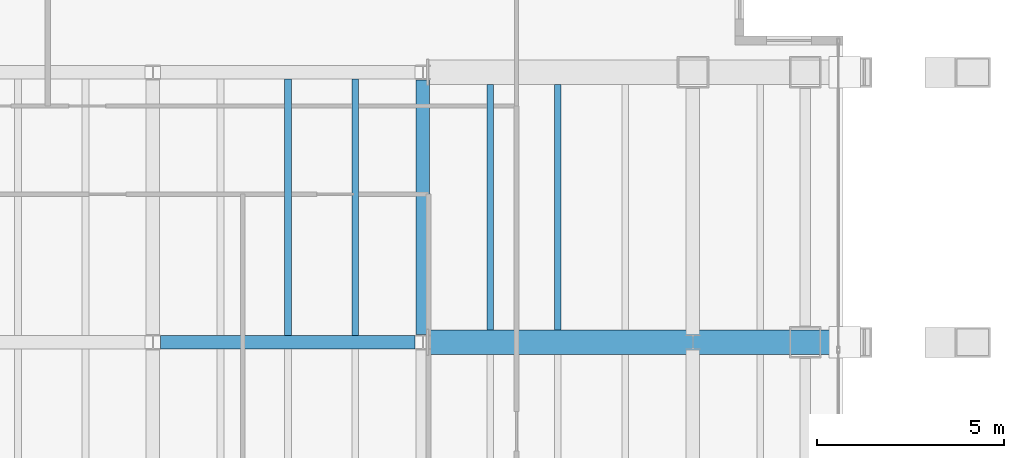
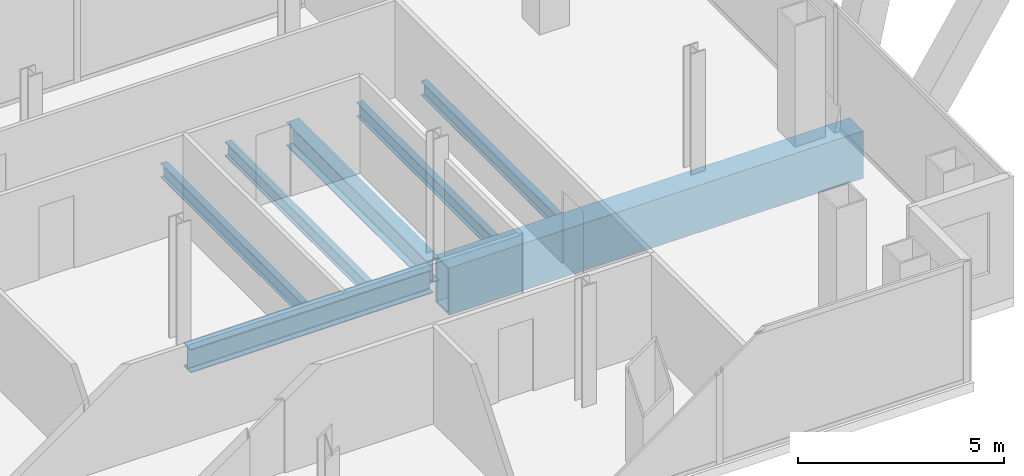
# One storey, part 12 of 23: 7 beams.
"""IFC4 building model written with IfcOpenShell, lengths in metres."""

from ifc_helpers import new_model, si_unit, direction, frame, origin, origin_2d, place, context, subcontext, project, spatial, hollow_rectangle, i_section, extrude, material, material_profile, profile_set, type_object, element, save


model = new_model("IFC4")

# Units and contexts
model_context = context("Model", 3, precision=1e-05, world=origin(), true_north=direction((0.0, 1.0)))
body_context = subcontext(model_context, "Body", "Model", "MODEL_VIEW")
ifc_project = project(units=[si_unit("LENGTHUNIT", "METRE"), si_unit("AREAUNIT", "SQUARE_METRE"), si_unit("VOLUMEUNIT", "CUBIC_METRE"), si_unit("PLANEANGLEUNIT", "RADIAN"), si_unit("MASSUNIT", "GRAM", prefix="KILO")], contexts=[model_context])

# Site, building, storey
site_placement = place(None, origin())
site = spatial("IfcSite", under=ifc_project, at=site_placement, CompositionType="ELEMENT")
building_placement = place(site_placement, origin())
building = spatial("IfcBuilding", under=site, at=building_placement, Name="Cobrela Telecom Tower", CompositionType="ELEMENT")
storey_placement = place(building_placement, frame((0.0, 0.0, 159.949951171875)))
storey = spatial("IfcBuildingStorey", under=building, at=storey_placement, Name="L40", CompositionType="ELEMENT", Elevation=159.949951171875)

# Beams
ifc_material_1 = material(Name="Steel ASTM A992 Grade 50", Category="steel")
ifc_material_profile_1 = material_profile(ifc_material_1, i_section(OverallWidth=0.35595703125, OverallDepth=0.696044921875, WebThickness=0.015380859375, FlangeThickness=0.024658203125, FilletRadius=0.01806640625, at=origin_2d()), Name="W27X146")
ifc_profile_set_1 = profile_set([ifc_material_profile_1], Name="Steel ASTM A992 Grade 50")
beam_type_1 = type_object("IfcBeamType", Name="BM-GIRD-05", PredefinedType="USERDEFINED", material=ifc_profile_set_1)
for number, where, z_axis, x_axis, name in (
    (1, (29.00439453125, 14.39990234375, -0.617919921875), (1.0, 0.0, 0.0), (0.0, 1.0, 0.0), "L40 Primary Girder X15"),
    (2, (36.0, 14.6044921875, -0.617919921875), (0.0, 1.0, 0.0), (-1.0, 0.0, 0.0), "L40 Primary Girder Y47"),
):
    element("IfcBeam", number, at=place(storey_placement, frame(where, z_axis=z_axis, x_axis=x_axis)), inside=storey, type_object=beam_type_1, Name=name, ObjectType="GIRDER", PredefinedType="USERDEFINED", context=body_context, shape_type="SweptSolid", body=[
        extrude(i_section(OverallWidth=0.35595703125, OverallDepth=0.696044921875, WebThickness=0.015380859375, FlangeThickness=0.024658203125, FilletRadius=0.01806640625, at=origin_2d()), origin(), (0.0, 0.0, 1.0), 6.791015625),
    ])
ifc_material_profile_2 = material_profile(ifc_material_1, i_section(OverallWidth=0.179931640625, OverallDepth=0.4169921875, WebThickness=0.010986328125, FlangeThickness=0.01806640625, FilletRadius=0.011962890625, at=origin_2d()), Name="W16X57")
ifc_profile_set_2 = profile_set([ifc_material_profile_2], Name="Steel ASTM A992 Grade 50")
beam_type_2 = type_object("IfcBeamType", Name="BM-JOIST-04", PredefinedType="JOIST", material=ifc_profile_set_2)
for number, where, z_axis, x_axis, name in (
    (3, (32.39990234375, 14.5830078125, -0.478515625), (0.0, 1.0, 0.0), (-1.0, 0.0, 0.0), "L40 Secondary Composite Floor Beam J30"),
    (4, (34.199951171875, 14.5830078125, -0.478515625), (0.0, 1.0, 0.0), (-1.0, 0.0, 0.0), "L40 Secondary Composite Floor Beam J32"),
):
    element("IfcBeam", number, at=place(storey_placement, frame(where, z_axis=z_axis, x_axis=x_axis)), inside=storey, type_object=beam_type_2, Name=name, PredefinedType="JOIST", context=body_context, shape_type="SweptSolid", body=[
        extrude(i_section(OverallWidth=0.179931640625, OverallDepth=0.4169921875, WebThickness=0.010986328125, FlangeThickness=0.01806640625, FilletRadius=0.011962890625, at=origin_2d()), origin(), (0.0, 0.0, 1.0), 6.833984375),
    ])
for number, where, z_axis, x_axis, name in (
    (5, (37.800048828125, 14.72998046875, -0.478515625), (0.0, 1.0, 0.0), (-1.0, 0.0, 0.0), "L40 Secondary Composite Floor Beam J34"),
    (6, (39.60009765625, 14.72998046875, -0.478515625), (0.0, 1.0, 0.0), (-1.0, 0.0, 0.0), "L40 Secondary Composite Floor Beam J36"),
):
    element("IfcBeam", number, at=place(storey_placement, frame(where, z_axis=z_axis, x_axis=x_axis)), inside=storey, type_object=beam_type_2, Name=name, PredefinedType="JOIST", context=body_context, shape_type="SweptSolid", body=[
        extrude(i_section(OverallWidth=0.179931640625, OverallDepth=0.4169921875, WebThickness=0.010986328125, FlangeThickness=0.01806640625, FilletRadius=0.011962890625, at=origin_2d()), origin(), (0.0, 0.0, 1.0), 6.5400390625),
    ])
ifc_material_2 = material(Name="Steel ASTM A572 Grade 50", Category="steel")
ifc_material_profile_3 = material_profile(ifc_material_2, hollow_rectangle(XDim=0.64990234375, YDim=1.39990234375, WallThickness=0.054931640625, at=origin_2d()), Name="BOX 1400x650x55")
ifc_profile_set_3 = profile_set([ifc_material_profile_3], Name="Steel ASTM A572 Grade 50")
beam_type_3 = type_object("IfcBeamType", Name="BM-TRG-1400", PredefinedType="USERDEFINED", material=ifc_profile_set_3)
beam_placement = place(storey_placement, frame((36.14990234375, 14.39990234375, -0.969970703125), z_axis=(1.0, 0.0, 0.0), x_axis=(0.0, 1.0, 0.0)))
element("IfcBeam", 7, at=beam_placement, inside=storey, type_object=beam_type_3, Name="L40 Sky Pool Mega-Strut Footing Transfer Beam 1", ObjectType="GIRDER", PredefinedType="USERDEFINED", context=body_context, shape_type="SweptSolid", body=[
    extrude(hollow_rectangle(XDim=0.64990234375, YDim=1.39990234375, WallThickness=0.054931640625, at=origin_2d()), origin(), (0.0, 0.0, 1.0), 11.60009765625),
])

save(model, "model.ifc")
